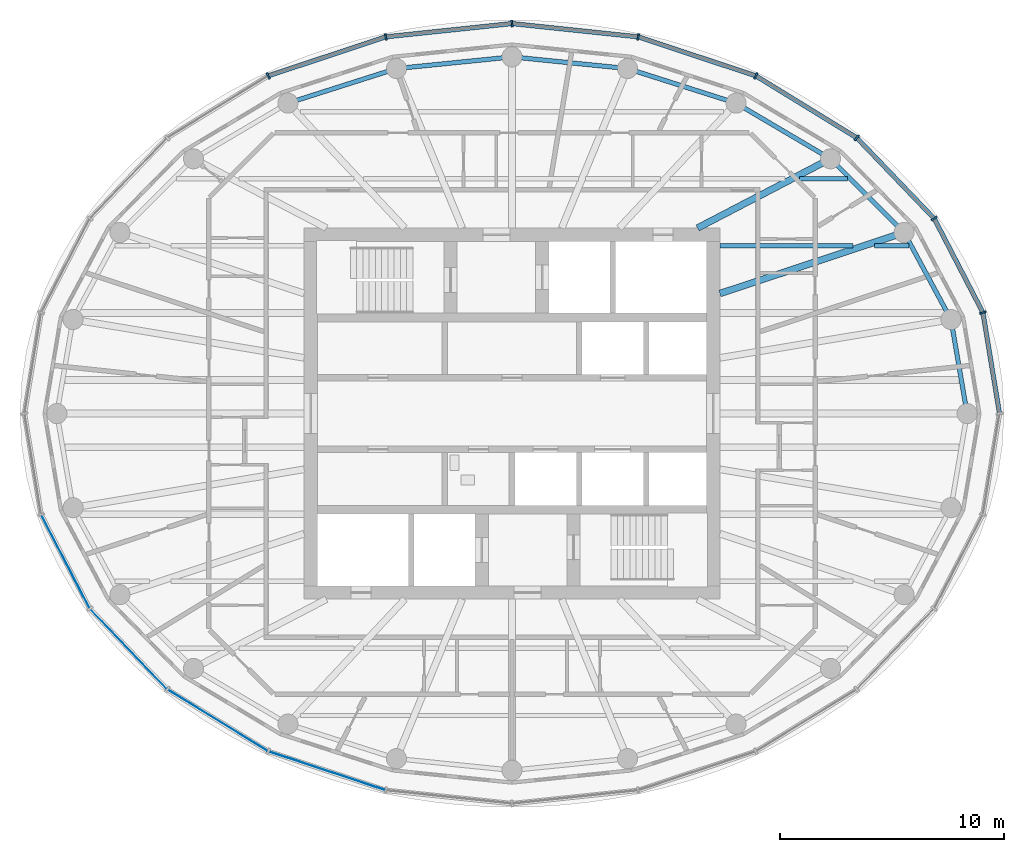
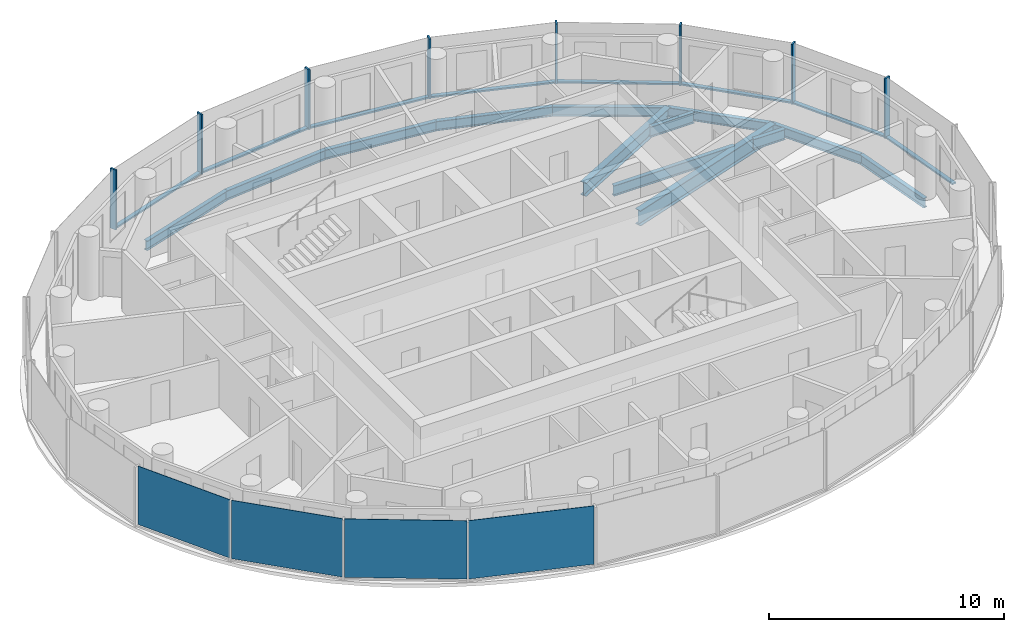
# One storey, part 3 of 12: 16 members, 13 beams, 4 plates, 3 elements without a shape of their own.
"""IFC4 building model written with IfcOpenShell, lengths in metres."""

from ifc_helpers import new_model, si_unit, direction, frame, origin, origin_2d, place, context, subcontext, project, spatial, rectangle, i_section, extrude, material, layer, layer_set, material_profile, profile_set, type_object, element, aggregate, save


model = new_model("IFC4")

# Units and contexts
model_context = context("Model", 3, precision=1e-05, world=origin(), true_north=direction((0.0, 1.0)))
body_context = subcontext(model_context, "Body", "Model", "MODEL_VIEW")
ifc_project = project(units=[si_unit("LENGTHUNIT", "METRE"), si_unit("AREAUNIT", "SQUARE_METRE"), si_unit("VOLUMEUNIT", "CUBIC_METRE"), si_unit("PLANEANGLEUNIT", "RADIAN"), si_unit("MASSUNIT", "GRAM", prefix="KILO")], contexts=[model_context])

# Site, building, storey
site_placement = place(None, origin())
site = spatial("IfcSite", under=ifc_project, at=site_placement, CompositionType="ELEMENT")
building_placement = place(site_placement, origin())
building = spatial("IfcBuilding", under=site, at=building_placement, Name="Hankou Lantern Tower", CompositionType="ELEMENT")
storey_placement = place(building_placement, frame((0.0, 0.0, 222.60009765625)))
storey = spatial("IfcBuildingStorey", under=building, at=storey_placement, Name="L60", CompositionType="ELEMENT", Elevation=222.60009765625)

# Beams
ifc_material_1 = material(Name="Steel Q355B", Category="steel")
ifc_material_profile_1 = material_profile(ifc_material_1, i_section(OverallWidth=0.199951171875, OverallDepth=0.5, WebThickness=0.010009765625, FlangeThickness=0.01611328125, FilletRadius=0.012939453125, at=origin_2d()), Name="HN500x200x10x16")
ifc_profile_set_1 = profile_set([ifc_material_profile_1], Name="Steel Q355B")
beam_type_1 = type_object("IfcBeamType", Name="EB5 RING BEAM HN500x200x10x16", PredefinedType="SPANDREL", material=ifc_profile_set_1)
beam_1_placement = place(storey_placement, frame((20.35009765625, 0.0, -0.43017578125), z_axis=(-0.168876512999, 0.98563721691, 0.0), x_axis=(-0.98563721691, -0.168876512999, 0.0)))
element("IfcBeam", 1, at=beam_1_placement, inside=storey, type_object=beam_type_1, Name="Ring beam R01-R02 L60", PredefinedType="SPANDREL", context=body_context, shape_type="SweptSolid", body=[
    extrude(i_section(OverallWidth=0.199951171875, OverallDepth=0.5, WebThickness=0.010009765625, FlangeThickness=0.01611328125, FilletRadius=0.012939453125, at=origin_2d()), origin(), (0.0, 0.0, 1.0), 4.26904296875),
])
beam_2_placement = place(storey_placement, frame((19.629150390625, 4.207763671875, -0.43017578125), z_axis=(-0.474491806611, 0.880259919262, 0.0), x_axis=(-0.880259919262, -0.474491806611, 0.0)))
element("IfcBeam", 2, at=beam_2_placement, inside=storey, type_object=beam_type_1, Name="Ring beam R02-R03 L60", PredefinedType="SPANDREL", context=body_context, shape_type="SweptSolid", body=[
    extrude(i_section(OverallWidth=0.199951171875, OverallDepth=0.5, WebThickness=0.010009765625, FlangeThickness=0.01611328125, FilletRadius=0.012939453125, at=origin_2d()), origin(), (0.0, 0.0, 1.0), 4.419189453125),
])
beam_3_placement = place(storey_placement, frame((17.5322265625, 8.097900390625, -0.43017578125), z_axis=(-0.706608588034, 0.707604623583, 0.0), x_axis=(-0.707604623583, -0.706608588034, 0.0)))
element("IfcBeam", 3, at=beam_3_placement, inside=storey, type_object=beam_type_1, Name="Ring beam R03-R04 L60", PredefinedType="SPANDREL", context=body_context, shape_type="SweptSolid", body=[
    extrude(i_section(OverallWidth=0.199951171875, OverallDepth=0.5, WebThickness=0.010009765625, FlangeThickness=0.01611328125, FilletRadius=0.012939453125, at=origin_2d()), origin(), (0.0, 0.0, 1.0), 4.6572265625),
])
beam_4_placement = place(storey_placement, frame((14.241455078125, 11.393310546875, -0.43017578125), z_axis=(-0.861422897323, 0.507888365655, 0.0), x_axis=(-0.507888365655, -0.861422897323, 0.0)))
element("IfcBeam", 4, at=beam_4_placement, inside=storey, type_object=beam_type_1, Name="Ring beam R04-R05 L60", PredefinedType="SPANDREL", context=body_context, shape_type="SweptSolid", body=[
    extrude(i_section(OverallWidth=0.199951171875, OverallDepth=0.5, WebThickness=0.010009765625, FlangeThickness=0.01611328125, FilletRadius=0.012939453125, at=origin_2d()), origin(), (0.0, 0.0, 1.0), 4.901611328125),
])
beam_5_placement = place(storey_placement, frame((10.01904296875, 13.8828125, -0.43017578125), z_axis=(-0.952887359315, 0.303324381574, 0.0), x_axis=(-0.303324381574, -0.952887359315, 0.0)))
element("IfcBeam", 5, at=beam_5_placement, inside=storey, type_object=beam_type_1, Name="Ring beam R05-R06 L60", PredefinedType="SPANDREL", context=body_context, shape_type="SweptSolid", body=[
    extrude(i_section(OverallWidth=0.199951171875, OverallDepth=0.5, WebThickness=0.010009765625, FlangeThickness=0.01611328125, FilletRadius=0.012939453125, at=origin_2d()), origin(), (0.0, 0.0, 1.0), 5.091796875),
])
for number, where, z_axis, x_axis, name in (
    (6, (5.167236328125, 15.42724609375, -0.43017578125), (-0.994922507736, 0.100643944676, 0.0), (-0.100643944676, -0.994922507736, 0.0), "Ring beam R06-R07 L60"),
    (7, (0.0, 15.949951171875, -0.43017578125), (-0.994922507736, -0.100643944676, 0.0), (0.100643944676, -0.994922507736, 0.0), "Ring beam R07-R08 L60"),
):
    element("IfcBeam", number, at=place(storey_placement, frame(where, z_axis=z_axis, x_axis=x_axis)), inside=storey, type_object=beam_type_1, Name=name, PredefinedType="SPANDREL", context=body_context, shape_type="SweptSolid", body=[
        extrude(i_section(OverallWidth=0.199951171875, OverallDepth=0.5, WebThickness=0.010009765625, FlangeThickness=0.01611328125, FilletRadius=0.012939453125, at=origin_2d()), origin(), (0.0, 0.0, 1.0), 5.193603515625),
    ])
beam_6_placement = place(storey_placement, frame((-5.167236328125, 15.42724609375, -0.43017578125), z_axis=(-0.952887359315, -0.303324381574, 0.0), x_axis=(0.303324381574, -0.952887359315, 0.0)))
element("IfcBeam", 8, at=beam_6_placement, inside=storey, type_object=beam_type_1, Name="Ring beam R08-R09 L60", PredefinedType="SPANDREL", context=body_context, shape_type="SweptSolid", body=[
    extrude(i_section(OverallWidth=0.199951171875, OverallDepth=0.5, WebThickness=0.010009765625, FlangeThickness=0.01611328125, FilletRadius=0.012939453125, at=origin_2d()), origin(), (0.0, 0.0, 1.0), 5.091796875),
])

# Curtain wall, members
ifc_material_2 = material(Name="Glass, dark grey tinted laminated", Category="glass")
curtain_wall_type = type_object("IfcCurtainWallType", Name="CWD OUTER SKIN SUITE", PredefinedType="USERDEFINED", material=ifc_material_2)
curtain_wall_1_placement = place(storey_placement, origin())
curtain_wall_1 = element("IfcCurtainWall", 9, at=curtain_wall_1_placement, inside=storey, type_object=curtain_wall_type, Name="CWD L60 OS1", ObjectType="OUTER SKIN SUITE", PredefinedType="USERDEFINED")
ifc_material_3 = material(Name="Aluminium, black anodised", Category="aluminium")
ifc_material_profile_2 = material_profile(ifc_material_3, rectangle(XDim=0.080078125, YDim=0.300048828125, at=origin_2d()), Name="MU1 80X300")
ifc_profile_set_2 = profile_set([ifc_material_profile_2], Name="Aluminium, black anodised")
member_type_1 = type_object("IfcMemberType", Name="MU1 OUTER SKIN MULLION 80X300", PredefinedType="MULLION", material=ifc_profile_set_2)
member_1_placement = place(storey_placement, frame((21.05712890625, 4.513916015625, 0.0), z_axis=(0.0, 0.0, 1.0), x_axis=(-0.317595577365, 0.94822626479, 0.0)))
member_1 = element("IfcMember", 10, at=member_1_placement, type_object=member_type_1, Name="CWD mullion 2", PredefinedType="MULLION", context=body_context, shape_type="SweptSolid", body=[
    extrude(rectangle(XDim=0.080078125, YDim=0.300048828125, at=origin_2d()), origin(), (0.0, 0.0, 1.0), 3.119873046875),
])
member_2_placement = place(storey_placement, frame((18.87939453125, 8.719970703125, 0.0), z_axis=(0.0, 0.0, 1.0), x_axis=(-0.585205735974, 0.810884854084, 0.0)))
member_2 = element("IfcMember", 11, at=member_2_placement, type_object=member_type_1, Name="CWD mullion 3", PredefinedType="MULLION", context=body_context, shape_type="SweptSolid", body=[
    extrude(rectangle(XDim=0.080078125, YDim=0.300048828125, at=origin_2d()), origin(), (0.0, 0.0, 1.0), 3.119873046875),
])
member_3_placement = place(storey_placement, frame((15.4150390625, 12.33203125, 0.0), z_axis=(0.0, 0.0, 1.0), x_axis=(-0.780868809444, 0.624695047553, 0.0)))
member_3 = element("IfcMember", 12, at=member_3_placement, type_object=member_type_1, Name="CWD mullion 4", PredefinedType="MULLION", context=body_context, shape_type="SweptSolid", body=[
    extrude(rectangle(XDim=0.080078125, YDim=0.300048828125, at=origin_2d()), origin(), (0.0, 0.0, 1.0), 3.119873046875),
])
member_4_placement = place(storey_placement, frame((10.89990234375, 15.103515625, 0.0), z_axis=(0.0, 0.0, 1.0), x_axis=(-0.907841299004, 0.419313934686, 0.0)))
member_4 = element("IfcMember", 13, at=member_4_placement, type_object=member_type_1, Name="CWD mullion 5", PredefinedType="MULLION", context=body_context, shape_type="SweptSolid", body=[
    extrude(rectangle(XDim=0.080078125, YDim=0.300048828125, at=origin_2d()), origin(), (0.0, 0.0, 1.0), 3.119873046875),
])
member_5_placement = place(storey_placement, frame((5.642333984375, 16.845703125, 0.0), z_axis=(0.0, 0.0, 1.0), x_axis=(-0.977787659625, 0.209597931016, 0.0)))
member_5 = element("IfcMember", 14, at=member_5_placement, type_object=member_type_1, Name="CWD mullion 6", PredefinedType="MULLION", context=body_context, shape_type="SweptSolid", body=[
    extrude(rectangle(XDim=0.080078125, YDim=0.300048828125, at=origin_2d()), origin(), (0.0, 0.0, 1.0), 3.119873046875),
])

curtain_wall_2_placement = place(storey_placement, origin())
curtain_wall_2 = element("IfcCurtainWall", 15, at=curtain_wall_2_placement, inside=storey, type_object=curtain_wall_type, Name="CWD L60 OS2", ObjectType="OUTER SKIN SUITE", PredefinedType="USERDEFINED")
member_6_placement = place(storey_placement, frame((0.0, 17.43994140625, 0.0), z_axis=(0.0, 0.0, 1.0), x_axis=(-0.994499359107, -0.104742659579, 0.0)))
member_6 = element("IfcMember", 16, at=member_6_placement, type_object=member_type_1, Name="CWD mullion 1", PredefinedType="MULLION", context=body_context, shape_type="SweptSolid", body=[
    extrude(rectangle(XDim=0.080078125, YDim=0.300048828125, at=origin_2d()), origin(), (0.0, 0.0, 1.0), 3.119873046875),
])
member_7_placement = place(storey_placement, frame((-5.642333984375, 16.845703125, 0.0), z_axis=(0.0, 0.0, 1.0), x_axis=(-0.977787659625, -0.209597931016, 0.0)))
member_7 = element("IfcMember", 17, at=member_7_placement, type_object=member_type_1, Name="CWD mullion 2", PredefinedType="MULLION", context=body_context, shape_type="SweptSolid", body=[
    extrude(rectangle(XDim=0.080078125, YDim=0.300048828125, at=origin_2d()), origin(), (0.0, 0.0, 1.0), 3.119873046875),
])
member_8_placement = place(storey_placement, frame((-10.89990234375, 15.103515625, 0.0), z_axis=(0.0, 0.0, 1.0), x_axis=(-0.907841299004, -0.419313934686, 0.0)))
member_8 = element("IfcMember", 18, at=member_8_placement, type_object=member_type_1, Name="CWD mullion 3", PredefinedType="MULLION", context=body_context, shape_type="SweptSolid", body=[
    extrude(rectangle(XDim=0.080078125, YDim=0.300048828125, at=origin_2d()), origin(), (0.0, 0.0, 1.0), 3.119873046875),
])

# Beams
ifc_material_4 = material(Name="Steel Q355B", Category="steel")
ifc_material_profile_3 = material_profile(ifc_material_4, i_section(OverallWidth=0.300048828125, OverallDepth=0.800048828125, WebThickness=0.013916015625, FlangeThickness=0.02587890625, FilletRadius=0.01806640625, at=origin_2d()), Name="HN800x300x14x26")
ifc_profile_set_3 = profile_set([ifc_material_profile_3], Name="Steel Q355B")
beam_type_2 = type_object("IfcBeamType", Name="RB11 RADIAL BEAM HN800x300x14x26", PredefinedType="BEAM", material=ifc_profile_set_3)
beam_7_placement = place(storey_placement, frame((9.300048828125, 5.369384765625, -0.580078125), z_axis=(0.949219608576, 0.314614263337, 0.0), x_axis=(-0.314614263337, 0.949219608576, 0.0)))
element("IfcBeam", 19, at=beam_7_placement, inside=storey, type_object=beam_type_2, Name="Radial beam R03 L60", PredefinedType="BEAM", context=body_context, shape_type="SweptSolid", body=[
    extrude(i_section(OverallWidth=0.300048828125, OverallDepth=0.800048828125, WebThickness=0.013916015625, FlangeThickness=0.02587890625, FilletRadius=0.01806640625, at=origin_2d()), origin(), (0.0, 0.0, 1.0), 8.672607421875),
])
ifc_material_5 = material(Name="Steel Q355B", Category="steel")
ifc_material_profile_4 = material_profile(ifc_material_5, i_section(OverallWidth=0.300048828125, OverallDepth=0.699951171875, WebThickness=0.012939453125, FlangeThickness=0.02392578125, FilletRadius=0.01806640625, at=origin_2d()), Name="HN700x300x13x24")
ifc_profile_set_4 = profile_set([ifc_material_profile_4], Name="Steel Q355B")
beam_type_3 = type_object("IfcBeamType", Name="RB9 RADIAL BEAM HN700x300x13x24", PredefinedType="BEAM", material=ifc_profile_set_4)
beam_8_placement = place(storey_placement, frame((8.300048828125, 8.300048828125, -0.530029296875), z_axis=(0.886988734783, 0.461791061378, 0.0), x_axis=(-0.461791061378, 0.886988734783, 0.0)))
element("IfcBeam", 20, at=beam_8_placement, inside=storey, type_object=beam_type_3, Name="Radial beam R04 L60", PredefinedType="BEAM", context=body_context, shape_type="SweptSolid", body=[
    extrude(i_section(OverallWidth=0.300048828125, OverallDepth=0.699951171875, WebThickness=0.012939453125, FlangeThickness=0.02392578125, FilletRadius=0.01806640625, at=origin_2d()), origin(), (0.0, 0.0, 1.0), 6.698486328125),
])
ifc_material_6 = material(Name="Steel Q355B", Category="steel")
ifc_material_profile_5 = material_profile(ifc_material_6, i_section(OverallWidth=0.199951171875, OverallDepth=0.550048828125, WebThickness=0.010009765625, FlangeThickness=0.01611328125, FilletRadius=0.012939453125, at=origin_2d()), Name="HN550x200x10x16")
ifc_profile_set_5 = profile_set([ifc_material_profile_5], Name="Steel Q355B")
beam_type_4 = type_object("IfcBeamType", Name="SB6 SECONDARY BEAM HN550x200x10x16", PredefinedType="JOIST", material=ifc_profile_set_5)
beam_9_placement = place(storey_placement, frame((9.300048828125, 7.5, -0.455078125), z_axis=(1.0, 0.0, 0.0), x_axis=(0.0, 1.0, 0.0)))
element("IfcBeam", 21, at=beam_9_placement, inside=storey, type_object=beam_type_4, Name="Floor joist J027 L60", PredefinedType="JOIST", context=body_context, shape_type="SweptSolid", body=[
    extrude(i_section(OverallWidth=0.199951171875, OverallDepth=0.550048828125, WebThickness=0.010009765625, FlangeThickness=0.01611328125, FilletRadius=0.012939453125, at=origin_2d()), origin(), (0.0, 0.0, 1.0), 5.95166015625),
])
beam_10_placement = place(storey_placement, frame((16.205322265625, 7.5, -0.455078125), z_axis=(1.0, 0.0, 0.0), x_axis=(0.0, 1.0, 0.0)))
element("IfcBeam", 22, at=beam_10_placement, inside=storey, type_object=beam_type_4, Name="Floor joist J028 L60", PredefinedType="JOIST", context=body_context, shape_type="SweptSolid", body=[
    extrude(i_section(OverallWidth=0.199951171875, OverallDepth=0.550048828125, WebThickness=0.010009765625, FlangeThickness=0.01611328125, FilletRadius=0.012939453125, at=origin_2d()), origin(), (0.0, 0.0, 1.0), 1.53564453125),
])
beam_11_placement = place(storey_placement, frame((12.8505859375, 10.5, -0.455078125), z_axis=(1.0, 0.0, 0.0), x_axis=(0.0, 1.0, 0.0)))
element("IfcBeam", 23, at=beam_11_placement, inside=storey, type_object=beam_type_4, Name="Floor joist J036 L60", PredefinedType="JOIST", context=body_context, shape_type="SweptSolid", body=[
    extrude(i_section(OverallWidth=0.199951171875, OverallDepth=0.550048828125, WebThickness=0.010009765625, FlangeThickness=0.01611328125, FilletRadius=0.012939453125, at=origin_2d()), origin(), (0.0, 0.0, 1.0), 2.1416015625),
])

# Member
ifc_material_7 = material(Name="Aluminium, black anodised", Category="aluminium")
ifc_material_profile_6 = material_profile(ifc_material_7, rectangle(XDim=0.199951171875, YDim=0.080078125, at=origin_2d()), Name="TR1 200X80")
ifc_profile_set_6 = profile_set([ifc_material_profile_6], Name="Aluminium, black anodised")
member_type_2 = type_object("IfcMemberType", Name="TR1 OUTER SKIN TRANSOM 200X80", PredefinedType="USERDEFINED", material=ifc_profile_set_6)
member_9_placement = place(storey_placement, frame((21.79345703125, 0.03955078125, 0.039794921875), z_axis=(-0.162363822839, 0.986730960816, 0.0), x_axis=(-0.986730960816, -0.162363822839, 0.0)))
member_9 = element("IfcMember", 24, at=member_9_placement, type_object=member_type_2, Name="CWD transom 1", ObjectType="TRANSOM", PredefinedType="USERDEFINED", context=body_context, shape_type="SweptSolid", body=[
    extrude(rectangle(XDim=0.199951171875, YDim=0.080078125, at=origin_2d()), origin(), (0.0, 0.0, 1.0), 4.494384765625),
])

member_10_placement = place(storey_placement, frame((21.038818359375, 4.54931640625, 0.039794921875), z_axis=(-0.45979371115, 0.888025755925, 0.0), x_axis=(-0.888025755925, -0.45979371115, 0.0)))
member_10 = element("IfcMember", 25, at=member_10_placement, type_object=member_type_2, Name="CWD transom 2", ObjectType="TRANSOM", PredefinedType="USERDEFINED", context=body_context, shape_type="SweptSolid", body=[
    extrude(rectangle(XDim=0.199951171875, YDim=0.080078125, at=origin_2d()), origin(), (0.0, 0.0, 1.0), 4.65673828125),
])

member_11_placement = place(storey_placement, frame((18.8515625, 8.748779296875, 0.039794921875), z_axis=(-0.692204633274, 0.721701285626, 0.0), x_axis=(-0.721701285626, -0.692204633274, 0.0)))
member_11 = element("IfcMember", 26, at=member_11_placement, type_object=member_type_2, Name="CWD transom 3", ObjectType="TRANSOM", PredefinedType="USERDEFINED", context=body_context, shape_type="SweptSolid", body=[
    extrude(rectangle(XDim=0.199951171875, YDim=0.080078125, at=origin_2d()), origin(), (0.0, 0.0, 1.0), 4.9248046875),
])

member_12_placement = place(storey_placement, frame((15.380859375, 12.352783203125, 0.039794921875), z_axis=(-0.852234544008, 0.523159900986, 0.0), x_axis=(-0.523159900986, -0.852234544008, 0.0)))
member_12 = element("IfcMember", 27, at=member_12_placement, type_object=member_type_2, Name="CWD transom 4", ObjectType="TRANSOM", PredefinedType="USERDEFINED", context=body_context, shape_type="SweptSolid", body=[
    extrude(rectangle(XDim=0.199951171875, YDim=0.080078125, at=origin_2d()), origin(), (0.0, 0.0, 1.0), 5.2177734375),
])

member_13_placement = place(storey_placement, frame((10.862060546875, 15.115966796875, 0.039794921875), z_axis=(-0.949231947668, 0.314577032739, 0.0), x_axis=(-0.314577032739, -0.949231947668, 0.0)))
member_13 = element("IfcMember", 28, at=member_13_placement, type_object=member_type_2, Name="CWD transom 5", ObjectType="TRANSOM", PredefinedType="USERDEFINED", context=body_context, shape_type="SweptSolid", body=[
    extrude(rectangle(XDim=0.199951171875, YDim=0.080078125, at=origin_2d()), origin(), (0.0, 0.0, 1.0), 5.458984375),
])

member_14_placement = place(storey_placement, frame((5.6025390625, 16.849853515625, 0.039794921875), z_axis=(-0.994498275726, 0.104752945435, 0.0), x_axis=(-0.104752945435, -0.994498275726, 0.0)))
member_14 = element("IfcMember", 29, at=member_14_placement, type_object=member_type_2, Name="CWD transom 6", ObjectType="TRANSOM", PredefinedType="USERDEFINED", context=body_context, shape_type="SweptSolid", body=[
    extrude(rectangle(XDim=0.199951171875, YDim=0.080078125, at=origin_2d()), origin(), (0.0, 0.0, 1.0), 5.593505859375),
])

aggregate(curtain_wall_1, [member_1, member_2, member_3, member_4, member_5, member_9, member_10, member_11, member_12, member_13, member_14])

member_15_placement = place(storey_placement, frame((-0.039794921875, 17.435791015625, 0.039794921875), z_axis=(-0.994498275726, -0.104752945435, 0.0), x_axis=(0.104752945435, -0.994498275726, 0.0)))
member_15 = element("IfcMember", 30, at=member_15_placement, type_object=member_type_2, Name="CWD transom 1", ObjectType="TRANSOM", PredefinedType="USERDEFINED", context=body_context, shape_type="SweptSolid", body=[
    extrude(rectangle(XDim=0.199951171875, YDim=0.080078125, at=origin_2d()), origin(), (0.0, 0.0, 1.0), 5.593505859375),
])

member_16_placement = place(storey_placement, frame((-5.68017578125, 16.833251953125, 0.039794921875), z_axis=(-0.949231947668, -0.314577032739, 0.0), x_axis=(0.314577032739, -0.949231947668, 0.0)))
member_16 = element("IfcMember", 31, at=member_16_placement, type_object=member_type_2, Name="CWD transom 2", ObjectType="TRANSOM", PredefinedType="USERDEFINED", context=body_context, shape_type="SweptSolid", body=[
    extrude(rectangle(XDim=0.199951171875, YDim=0.080078125, at=origin_2d()), origin(), (0.0, 0.0, 1.0), 5.458984375),
])

aggregate(curtain_wall_2, [member_6, member_7, member_8, member_15, member_16])

# Curtain wall, plates
curtain_wall_3_placement = place(storey_placement, origin())
curtain_wall_3 = element("IfcCurtainWall", 32, at=curtain_wall_3_placement, inside=storey, type_object=curtain_wall_type, Name="CWD L60 OS3", ObjectType="OUTER SKIN SUITE", PredefinedType="USERDEFINED")
ifc_material_8 = material(Name="Glass, dark grey tinted laminated", Category="glass")
ifc_layer = layer(ifc_material_8, 0.02392578125)
ifc_layer_set = layer_set([ifc_layer], Name="Glass, dark grey tinted laminated")
plate_type = type_object("IfcPlateType", Name="PN1 OUTER SKIN GLASS PANEL", PredefinedType="CURTAIN_PANEL", material=ifc_layer_set)
plate_1_placement = place(storey_placement, frame((-19.96826171875, -6.616943359375, 0.079833984375), z_axis=(0.0, 0.0, 1.0), x_axis=(0.459791091957, -0.888027112062, 0.0)))
plate_1 = element("IfcPlate", 33, at=plate_1_placement, type_object=plate_type, Name="CWD glass panel 2", PredefinedType="CURTAIN_PANEL", context=body_context, shape_type="SweptSolid", body=[
    extrude(rectangle(XDim=4.656494140625, YDim=0.02392578125, at=origin_2d()), origin(), (0.0, 0.0, 1.0), 3.0400390625),
])
plate_2_placement = place(storey_placement, frame((-17.147216796875, -10.52587890625, 0.079833984375), z_axis=(0.0, 0.0, 1.0), x_axis=(0.692215809936, -0.721690565599, 0.0)))
plate_2 = element("IfcPlate", 34, at=plate_2_placement, type_object=plate_type, Name="CWD glass panel 3", PredefinedType="CURTAIN_PANEL", context=body_context, shape_type="SweptSolid", body=[
    extrude(rectangle(XDim=4.9248046875, YDim=0.02392578125, at=origin_2d()), origin(), (0.0, 0.0, 1.0), 3.0400390625),
])
plate_3_placement = place(storey_placement, frame((-13.157470703125, -13.7177734375, 0.079833984375), z_axis=(0.0, 0.0, 1.0), x_axis=(0.852237151549, -0.523155653242, 0.0)))
plate_3 = element("IfcPlate", 35, at=plate_3_placement, type_object=plate_type, Name="CWD glass panel 4", PredefinedType="CURTAIN_PANEL", context=body_context, shape_type="SweptSolid", body=[
    extrude(rectangle(XDim=5.2177734375, YDim=0.02392578125, at=origin_2d()), origin(), (0.0, 0.0, 1.0), 3.0400390625),
])
plate_4_placement = place(storey_placement, frame((-8.271240234375, -15.974609375, 0.079833984375), z_axis=(0.0, 0.0, 1.0), x_axis=(0.949240677293, -0.31455068999, 0.0)))
plate_4 = element("IfcPlate", 36, at=plate_4_placement, type_object=plate_type, Name="CWD glass panel 5", PredefinedType="CURTAIN_PANEL", context=body_context, shape_type="SweptSolid", body=[
    extrude(rectangle(XDim=5.458984375, YDim=0.02392578125, at=origin_2d()), origin(), (0.0, 0.0, 1.0), 3.0400390625),
])
aggregate(curtain_wall_3, [plate_1, plate_2, plate_3, plate_4])

save(model, "model.ifc")
